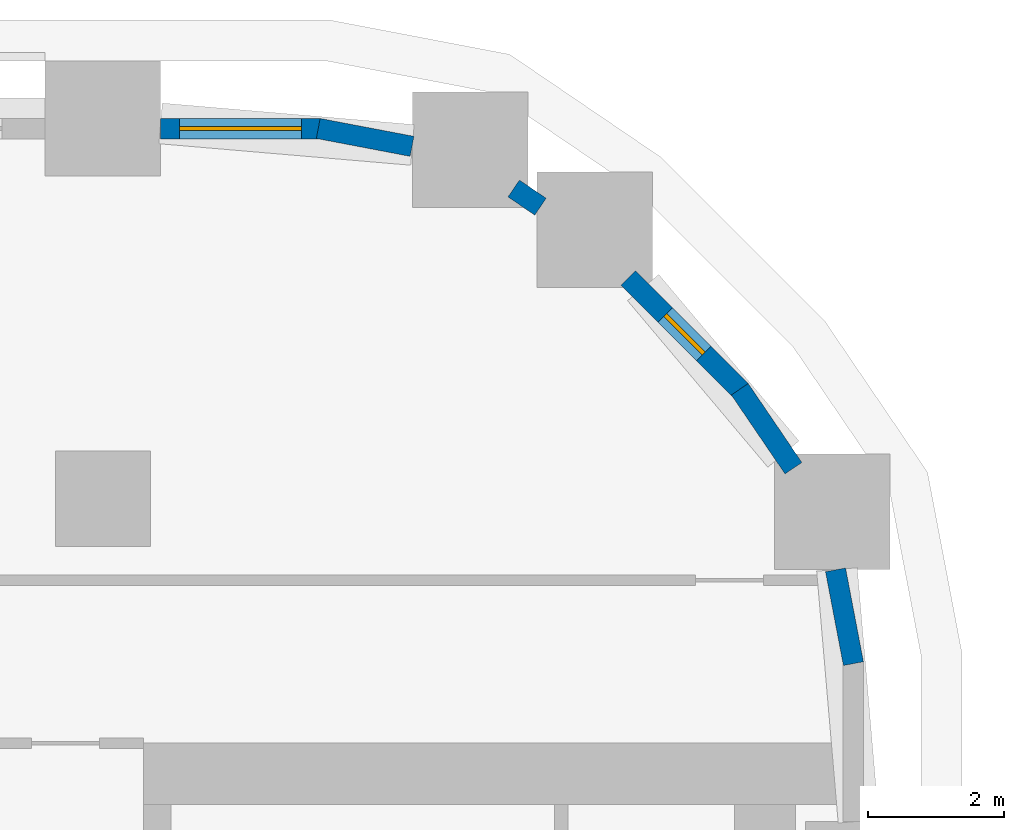
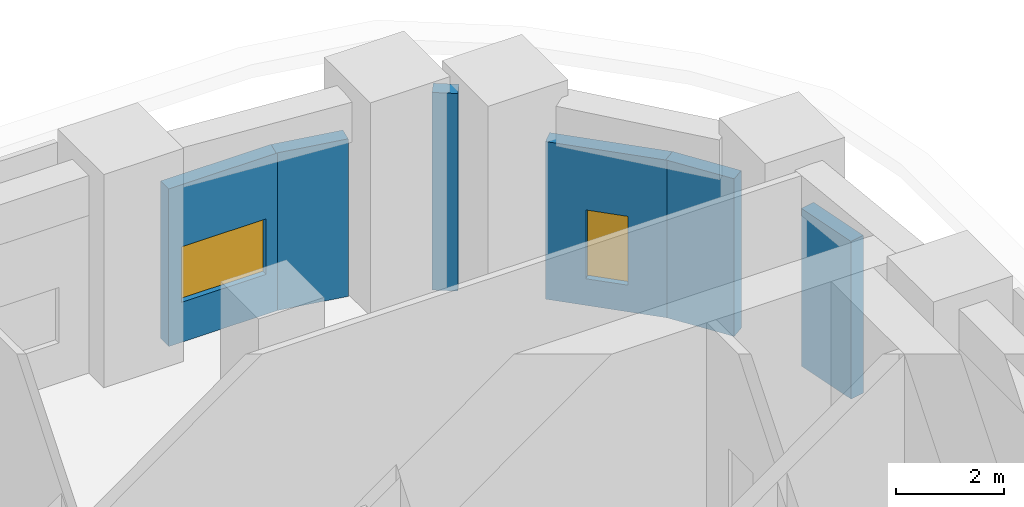
# One storey, part 13 of 23: 6 walls, 2 windows, 2 openings.
"""IFC4 building model written with IfcOpenShell, lengths in metres."""

import ifcopenshell
import ifcopenshell.guid

model = None  # the IFC model being written
_history = None  # IfcOwnerHistory: only IFC2X3 demands one
_inside = {}  # id of a spatial element -> (the spatial element, [elements in it])
_under = {}  # id of a project, library or spatial element -> (it, [spatial elements below it])
_declared = {}  # id of a project -> (the project, [libraries it declares])
_typed = {}  # id of a type object -> (the type object, [elements of that type])
_made_of = {}  # id of a material, layer set ... -> (it, [elements and type objects made of it])


def new_model(schema):
    """Start an empty IFC model of exactly this schema.

    Asked for "IFC4X3", IfcOpenShell would pick the latest addendum, in which some entities
    have other attributes; the version numbers below select the first issue.
    IFC2X3 requires an IfcOwnerHistory on every rooted entity: one is made here for all.
    """
    global model, _history
    if schema == "IFC4X3":
        model = ifcopenshell.file(schema_version=(4, 3, 0, 0))
    else:
        model = ifcopenshell.file(schema=schema)
    _inside.clear()
    _under.clear()
    _declared.clear()
    _typed.clear()
    _made_of.clear()
    _history = None
    if model.schema == "IFC2X3":
        org = make("IfcOrganization", Name="unknown")
        user = make(
            "IfcPersonAndOrganization",
            ThePerson=make("IfcPerson", FamilyName="unknown"),
            TheOrganization=org,
        )
        app = make(
            "IfcApplication",
            ApplicationDeveloper=org,
            Version="unknown",
            ApplicationFullName="unknown",
            ApplicationIdentifier="unknown",
        )
        _history = make(
            "IfcOwnerHistory",
            OwningUser=user,
            OwningApplication=app,
            ChangeAction="ADDED",
            CreationDate=0,
        )
    return model


def make(cls, **values):
    """One entity of the class cls with the attributes given. An attribute that is None is left unset."""
    return model.create_entity(
        cls, **{name: value for name, value in values.items() if value is not None}
    )


def rooted(cls, **values):
    """An entity with a GlobalId (a new one), such as an element, a storey or a relation."""
    return make(cls, GlobalId=ifcopenshell.guid.new(), OwnerHistory=_history, **values)


def si_unit(unit_type, name, prefix=None):
    """IfcSIUnit, for example si_unit("LENGTHUNIT", "METRE", prefix="MILLI")."""
    return make("IfcSIUnit", UnitType=unit_type, Prefix=prefix, Name=name)


def assignment(units):
    """IfcUnitAssignment: the units of a project."""
    return None if units is None else make("IfcUnitAssignment", Units=units)


def point(xyz):
    """IfcCartesianPoint."""
    return None if xyz is None else make("IfcCartesianPoint", Coordinates=xyz)


def direction(xyz):
    """IfcDirection."""
    return None if xyz is None else make("IfcDirection", DirectionRatios=xyz)


def frame(location, z_axis=None, x_axis=None):
    """IfcAxis2Placement3D, a coordinate frame: its origin and axes. An axis left out is left unset."""
    return make(
        "IfcAxis2Placement3D",
        Location=point(location),
        Axis=direction(z_axis),
        RefDirection=direction(x_axis),
    )


def frame_2d(location, x_axis=None):
    """IfcAxis2Placement2D, a coordinate frame in the plane: its origin and x axis."""
    return make(
        "IfcAxis2Placement2D", Location=point(location), RefDirection=direction(x_axis)
    )


def origin():
    """The frame at (0, 0, 0) with its axes left unset."""
    return frame((0.0, 0.0, 0.0))


def place(relative_to, where):
    """IfcLocalPlacement: puts the frame where relative to a parent placement (None: the world)."""
    return make(
        "IfcLocalPlacement", PlacementRelTo=relative_to, RelativePlacement=where
    )


def context(
    kind, dimensions, precision=None, world=None, true_north=None, identifier=None
):
    """IfcGeometricRepresentationContext, for example the 3D "Model" context."""
    return make(
        "IfcGeometricRepresentationContext",
        ContextIdentifier=identifier,
        ContextType=kind,
        CoordinateSpaceDimension=dimensions,
        Precision=precision,
        WorldCoordinateSystem=world,
        TrueNorth=true_north,
    )


def subcontext(parent, identifier, kind, view, scale=None):
    """IfcGeometricRepresentationSubContext, for example "Body" below "Model"."""
    return make(
        "IfcGeometricRepresentationSubContext",
        ContextIdentifier=identifier,
        ContextType=kind,
        ParentContext=parent,
        TargetScale=scale,
        TargetView=view,
    )


def project(units=None, contexts=None):
    """IfcProject with its units and contexts."""
    return rooted(
        "IfcProject",
        Name="project",
        RepresentationContexts=contexts,
        UnitsInContext=assignment(units),
    )


def spatial(cls, under=None, at=None, **own):
    """A site, building, storey or space (cls), placed at a placement, below another one or the project."""
    s = rooted(cls, ObjectPlacement=at, **own)
    if under is not None:
        _under.setdefault(under.id(), (under, []))[1].append(s)
    return s


def profile(cls, at=None, kind="AREA", **sizes):
    """A parametric profile (cls). Its sizes go by their IFC names, for example OverallWidth=200.0."""
    return make(cls, ProfileType=kind, Position=at, **sizes)


def rectangle(**sizes):
    """IfcRectangleProfileDef."""
    return profile("IfcRectangleProfileDef", **sizes)


def extrude(swept, where, along, depth):
    """IfcExtrudedAreaSolid: the profile swept, set in the frame where, extruded along a direction by depth."""
    return make(
        "IfcExtrudedAreaSolid",
        SweptArea=swept,
        Position=where,
        ExtrudedDirection=direction(along),
        Depth=depth,
    )


def shape(context_of_items, identifier, shape_type, items):
    """IfcShapeRepresentation: the items that make up one representation, for example the "Body"."""
    return make(
        "IfcShapeRepresentation",
        ContextOfItems=context_of_items,
        RepresentationIdentifier=identifier,
        RepresentationType=shape_type,
        Items=items,
    )


def material(Name=None, Category=None):
    """IfcMaterial."""
    return make("IfcMaterial", Name=Name, Category=Category)


def layer(
    of_material, thickness, ventilated=None, Name=None, Category=None, Priority=None
):
    """IfcMaterialLayer: one layer of a wall or slab, of a material (None: an air gap)."""
    return make(
        "IfcMaterialLayer",
        Material=of_material,
        LayerThickness=thickness,
        IsVentilated=ventilated,
        Name=Name,
        Category=Category,
        Priority=Priority,
    )


def layer_set(layers, Name=None):
    """IfcMaterialLayerSet."""
    return make("IfcMaterialLayerSet", MaterialLayers=layers, LayerSetName=Name)


def made_of(thing, what):
    """Note that an element or type object is made of a material, layer set ...; save() writes the relation."""
    if what is not None:
        _made_of.setdefault(what.id(), (what, []))[1].append(thing)
    return thing


def type_object(cls, material=None, **own):
    """A type object (cls), such as IfcWallType, which elements share."""
    return made_of(rooted(cls, **own), material)


def element(
    cls,
    number,
    at=None,
    inside=None,
    cuts=None,
    type_object=None,
    material=None,
    context=None,
    identifier="Body",
    shape_type=None,
    held_by="IfcProductDefinitionShape",
    body=None,
    shapes=None,
    **own,
):
    """One element of the class cls, such as IfcWall. Its Tag is "e" and its number.

    at: its placement. inside: the storey or other place that contains it. cuts: it is an
    opening in that element (IfcRelVoidsElement). A single representation is given by context,
    identifier, shape_type and body (its items); several are given by shapes. held_by: the class
    of the entity that holds the representations. save() writes the other relations.
    """
    e = rooted(cls, Tag="e%d" % number, ObjectPlacement=at, **own)
    if body is not None:
        shapes = [shape(context, identifier, shape_type, body)]
    if shapes is not None:
        e.Representation = make(held_by, Representations=shapes)
    if inside is not None:
        _inside.setdefault(inside.id(), (inside, []))[1].append(e)
    if cuts is not None:
        rooted(
            "IfcRelVoidsElement", RelatingBuildingElement=cuts, RelatedOpeningElement=e
        )
    if type_object is not None:
        _typed.setdefault(type_object.id(), (type_object, []))[1].append(e)
    return made_of(e, material)


def fill(opening, filler):
    """IfcRelFillsElement: the door or window that sits in an opening."""
    return rooted(
        "IfcRelFillsElement",
        RelatingOpeningElement=opening,
        RelatedBuildingElement=filler,
    )


def aggregate(whole, parts):
    """IfcRelAggregates: a whole, such as a stair, and the parts it consists of."""
    return rooted("IfcRelAggregates", RelatingObject=whole, RelatedObjects=parts)


def save(model, path):
    """Write the relations noted so far, then the file.

    IfcRelAggregates (storeys below a building ...), IfcRelContainedInSpatialStructure (elements
    in a storey), IfcRelDefinesByType, IfcRelAssociatesMaterial and IfcRelDeclares: one each for
    every whole, place, type object, material and project.
    """
    for whole, parts in _under.values():
        aggregate(whole, parts)
    for where, things in _inside.values():
        rooted(
            "IfcRelContainedInSpatialStructure",
            RelatedElements=things,
            RelatingStructure=where,
        )
    for kind, things in _typed.values():
        rooted("IfcRelDefinesByType", RelatedObjects=things, RelatingType=kind)
    for what, things in _made_of.values():
        rooted("IfcRelAssociatesMaterial", RelatedObjects=things, RelatingMaterial=what)
    for by, libraries in _declared.values():
        rooted("IfcRelDeclares", RelatingContext=by, RelatedDefinitions=libraries)
    model.write(path)


model = new_model("IFC4")

# Units and contexts
model_context = context("Model", 3, precision=1e-05, world=origin(), true_north=direction((0.0, 1.0)))
body_context = subcontext(model_context, "Body", "Model", "MODEL_VIEW")
ifc_project = project(units=[si_unit("LENGTHUNIT", "METRE"), si_unit("AREAUNIT", "SQUARE_METRE"), si_unit("VOLUMEUNIT", "CUBIC_METRE"), si_unit("PLANEANGLEUNIT", "RADIAN"), si_unit("MASSUNIT", "GRAM", prefix="KILO")], contexts=[model_context])

# Site, building, storey
site_placement = place(None, origin())
site = spatial("IfcSite", under=ifc_project, at=site_placement, CompositionType="ELEMENT")
building_placement = place(site_placement, origin())
building = spatial("IfcBuilding", under=site, at=building_placement, Name="Kiln Ring Residences", CompositionType="ELEMENT")
storey_placement = place(building_placement, frame((0.0, 0.0, 16.10009765625)))
storey = spatial("IfcBuildingStorey", under=building, at=storey_placement, Name="L03", CompositionType="ELEMENT", Elevation=16.10009765625)

# Walls
ifc_material_1 = material(Name="Brick masonry, dark clay brick", Category="masonry")
ifc_layer = layer(ifc_material_1, 0.300048828125)
ifc_layer_set = layer_set([ifc_layer], Name="EW-300 BRICK WALL")
wall_type = type_object("IfcWallType", Name="EW-300 BRICK WALL", PredefinedType="SOLIDWALL", material=ifc_layer_set)
for number, where, z_axis, x_axis, name in (
    (1, (27.8525390625, 14.371826171875, 0.0), (0.0, 0.0, 1.0), (-0.187327504018, 0.982297514116, 0.0), "Facade wall L03 20"),
    (2, (26.96923828125, 17.249755859375, 0.0), (0.0, 0.0, 1.0), (-0.562010802008, 0.827129892112, 0.0), "Facade wall L03 21"),
):
    element("IfcWall", number, at=place(storey_placement, frame(where, z_axis=z_axis, x_axis=x_axis)), inside=storey, type_object=wall_type, Name=name, PredefinedType="SOLIDWALL", context=body_context, shape_type="SweptSolid", body=[
        extrude(rectangle(XDim=1.40625, YDim=0.300048828125, at=frame_2d((0.703125, 0.0))), origin(), (0.0, 0.0, 1.0), 3.5498046875),
    ])

# Wall, opening, window
wall_1_placement = place(storey_placement, frame((26.19677734375, 18.390869140625, 0.0), z_axis=(0.0, 0.0, 1.0), x_axis=(-0.707054835785, 0.707158722772, 0.0)))
wall_1 = element("IfcWall", 3, at=wall_1_placement, inside=storey, type_object=wall_type, Name="Facade wall L03 22", PredefinedType="SOLIDWALL", context=body_context, shape_type="SweptSolid", body=[
    extrude(rectangle(XDim=2.35009765625, YDim=0.300048828125, at=frame_2d((1.175048828125, 0.0))), origin(), (0.0, 0.0, 1.0), 3.5498046875),
])
opening_1_placement = place(wall_1_placement, frame((0.77490234375, 0.0, 0.60009765625)))
opening_1 = element("IfcOpeningElement", 4, at=opening_1_placement, cuts=wall_1, Name="Opening W5", PredefinedType="OPENING", context=body_context, shape_type="SweptSolid", body=[
    extrude(rectangle(XDim=0.800048828125, YDim=1.550048828125, at=frame_2d((0.39990234375, 0.77490234375))), frame((0.0, 0.159912109375, 0.0), z_axis=(0.0, -1.0, 0.0), x_axis=(1.0, 0.0, 0.0)), (0.0, 0.0, 1.0), 0.320068359375),
])
ifc_material_2 = material(Name="Aluminium frame with double glazing", Category="aluminium")
window_type_1 = type_object("IfcWindowType", Name="WINDOW 800 x 1550", PartitioningType="SINGLE_PANEL", PredefinedType="WINDOW", material=ifc_material_2)
window_1_placement = place(opening_1_placement, origin())
window_1 = element("IfcWindow", 5, at=window_1_placement, inside=storey, type_object=window_type_1, Name="Window L03 10", OverallHeight=1.550048828125, OverallWidth=0.800048828125, PartitioningType="SINGLE_PANEL", PredefinedType="WINDOW", context=body_context, shape_type="SweptSolid", body=[
    extrude(rectangle(XDim=0.800048828125, YDim=1.550048828125, at=frame_2d((0.39990234375, 0.77490234375))), frame((0.0, 0.030029296875, 0.0), z_axis=(0.0, -1.0, 0.0), x_axis=(1.0, 0.0, 0.0)), (0.0, 0.0, 1.0), 0.06005859375),
])
fill(opening_1, window_1)

# Walls
wall_2_placement = place(storey_placement, frame((23.244384765625, 21.10107421875, 0.0), z_axis=(0.0, 0.0, 1.0), x_axis=(-0.827135885329, 0.562001981492, 0.0)))
element("IfcWall", 6, at=wall_2_placement, inside=storey, type_object=wall_type, Name="Facade wall L03 23", PredefinedType="SOLIDWALL", context=body_context, shape_type="SweptSolid", body=[
    extrude(rectangle(XDim=0.47705078125, YDim=0.300048828125, at=frame_2d((0.238525390625, 0.0))), origin(), (0.0, 0.0, 1.0), 4.449951171875),
])
wall_3_placement = place(storey_placement, frame((21.35302734375, 21.9892578125, 0.0), z_axis=(0.0, 0.0, 1.0), x_axis=(-0.98229142023, 0.187359455971, 0.0)))
element("IfcWall", 7, at=wall_3_placement, inside=storey, type_object=wall_type, Name="Facade wall L03 24", PredefinedType="SOLIDWALL", context=body_context, shape_type="SweptSolid", body=[
    extrude(rectangle(XDim=1.406005859375, YDim=0.300048828125, at=frame_2d((0.703125, 0.0))), origin(), (0.0, 0.0, 1.0), 3.5498046875),
])

# Wall, opening, window
wall_4_placement = place(storey_placement, frame((20.0, 22.25, 0.0), z_axis=(0.0, 0.0, 1.0), x_axis=(-1.0, 0.0, 0.0)))
wall_4 = element("IfcWall", 8, at=wall_4_placement, inside=storey, type_object=wall_type, Name="Facade wall L03 25", PredefinedType="SOLIDWALL", context=body_context, shape_type="SweptSolid", body=[
    extrude(rectangle(XDim=2.35009765625, YDim=0.300048828125, at=frame_2d((1.175048828125, 0.0))), origin(), (0.0, 0.0, 1.0), 3.5498046875),
])
opening_2_placement = place(wall_4_placement, frame((0.27490234375, 0.0, 0.89990234375)))
opening_2 = element("IfcOpeningElement", 9, at=opening_2_placement, cuts=wall_4, Name="Opening W2", PredefinedType="OPENING", context=body_context, shape_type="SweptSolid", body=[
    extrude(rectangle(XDim=1.800048828125, YDim=1.25, at=frame_2d((0.89990234375, 0.625))), frame((0.0, 0.159912109375, 0.0), z_axis=(0.0, -1.0, 0.0), x_axis=(1.0, 0.0, 0.0)), (0.0, 0.0, 1.0), 0.320068359375),
])
ifc_material_3 = material(Name="Aluminium frame with double glazing", Category="aluminium")
window_type_2 = type_object("IfcWindowType", Name="WINDOW 1800 x 1250", PartitioningType="SINGLE_PANEL", PredefinedType="WINDOW", material=ifc_material_3)
window_2_placement = place(opening_2_placement, origin())
window_2 = element("IfcWindow", 10, at=window_2_placement, inside=storey, type_object=window_type_2, Name="Window L03 11", OverallHeight=1.25, OverallWidth=1.800048828125, PartitioningType="SINGLE_PANEL", PredefinedType="WINDOW", context=body_context, shape_type="SweptSolid", body=[
    extrude(rectangle(XDim=1.800048828125, YDim=1.25, at=frame_2d((0.89990234375, 0.625))), frame((0.0, 0.030029296875, 0.0), z_axis=(0.0, -1.0, 0.0), x_axis=(1.0, 0.0, 0.0)), (0.0, 0.0, 1.0), 0.06005859375),
])
fill(opening_2, window_2)

save(model, "model.ifc")
